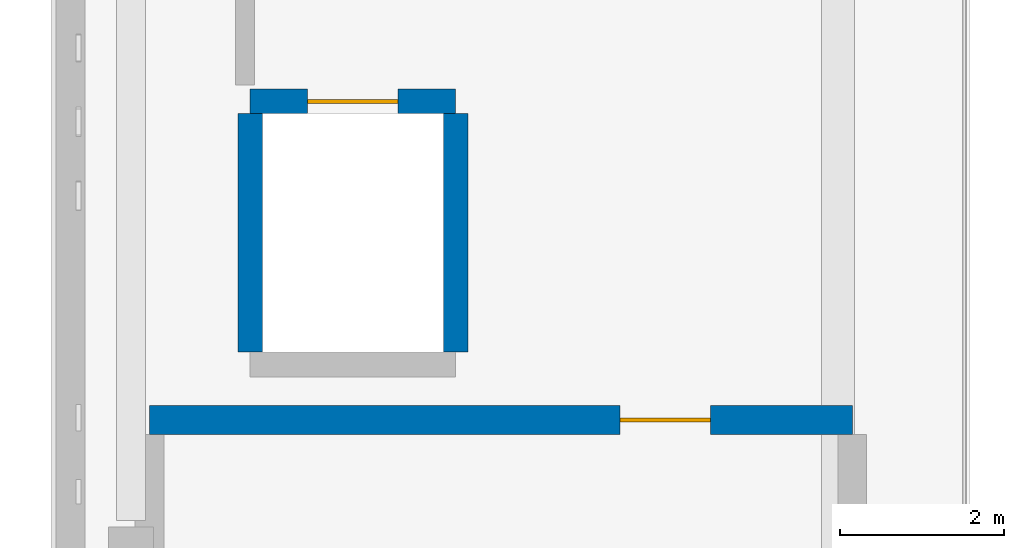
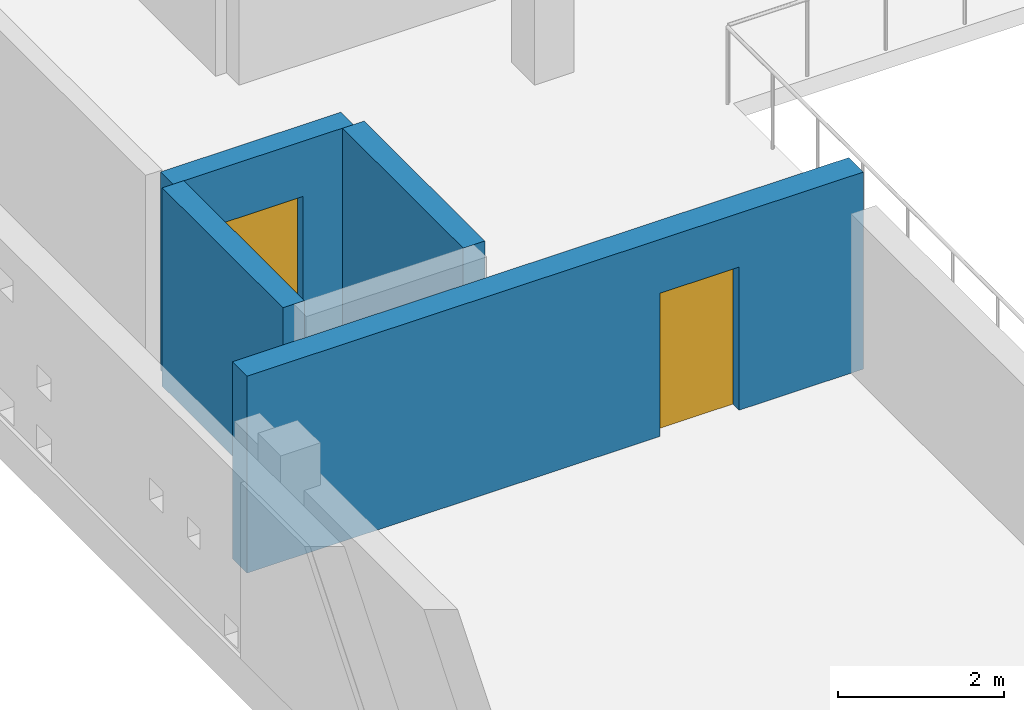
# One storey, part 7 of 17: 4 walls, 2 doors, 2 openings.
"""IFC4 building model written with IfcOpenShell, lengths in metres."""

from ifc_helpers import new_model, si_unit, direction, frame, frame_2d, origin, place, context, subcontext, project, spatial, rectangle, extrude, material, layer, layer_set, type_object, element, fill, save


model = new_model("IFC4")

# Units and contexts
model_context = context("Model", 3, precision=1e-05, world=origin(), true_north=direction((0.0, 1.0)))
body_context = subcontext(model_context, "Body", "Model", "MODEL_VIEW")
ifc_project = project(units=[si_unit("LENGTHUNIT", "METRE"), si_unit("AREAUNIT", "SQUARE_METRE"), si_unit("VOLUMEUNIT", "CUBIC_METRE"), si_unit("PLANEANGLEUNIT", "RADIAN"), si_unit("MASSUNIT", "GRAM", prefix="KILO")], contexts=[model_context])

# Site, building, storey
site_placement = place(None, origin())
site = spatial("IfcSite", under=ifc_project, at=site_placement, CompositionType="ELEMENT")
building_placement = place(site_placement, origin())
building = spatial("IfcBuilding", under=site, at=building_placement, Name="Varnakota Cinema and Media Centre", CompositionType="ELEMENT")
storey_placement = place(building_placement, frame((0.0, 0.0, 22.35009765625)))
storey = spatial("IfcBuildingStorey", under=building, at=storey_placement, Name="L06", CompositionType="ELEMENT", Elevation=22.35009765625)

# Wall
ifc_material_1 = material(Name="Concrete M40", Category="concrete")
ifc_layer_1 = layer(ifc_material_1, 0.300048828125)
ifc_layer_set_1 = layer_set([ifc_layer_1], Name="Concrete M40")
wall_type_1 = type_object("IfcWallType", Name="W-CORE-300", PredefinedType="SHEAR", material=ifc_layer_set_1)
wall_1_placement = place(storey_placement, frame((1.449951171875, 11.199951171875, 0.0), z_axis=(0.0, 0.0, 1.0), x_axis=(0.0, 1.0, 0.0)))
element("IfcWall", 1, at=wall_1_placement, inside=storey, type_object=wall_type_1, Name="L06 LSHAFT-LF-01-L06 W wall", PredefinedType="SHEAR", context=body_context, shape_type="SweptSolid", body=[
    extrude(rectangle(XDim=2.900146484375, YDim=0.300048828125, at=frame_2d((1.4501953125, 0.0))), origin(), (0.0, 0.0, 1.0), 2.909912109375),
])

# Wall, opening, door
wall_2_placement = place(storey_placement, frame((1.449951171875, 14.25, 0.0), z_axis=(0.0, 0.0, 1.0), x_axis=(1.0, 0.0, 0.0)))
wall_2 = element("IfcWall", 2, at=wall_2_placement, inside=storey, type_object=wall_type_1, Name="L06 LSHAFT-LF-01-L06 N wall", PredefinedType="SHEAR", context=body_context, shape_type="SweptSolid", body=[
    extrude(rectangle(XDim=2.5, YDim=0.300048828125, at=frame_2d((1.25, 0.0))), origin(), (0.0, 0.0, 1.0), 2.909912109375),
])
opening_1_placement = place(wall_2_placement, frame((0.699951171875, 0.0, 0.0)))
opening_1 = element("IfcOpeningElement", 3, at=opening_1_placement, cuts=wall_2, Name="Opening LD-01", PredefinedType="OPENING", context=body_context, shape_type="SweptSolid", body=[
    extrude(rectangle(XDim=1.10009765625, YDim=2.10009765625, at=frame_2d((0.550048828125, 1.050048828125))), frame((0.0, 0.14990234375, 0.0), z_axis=(0.0, -1.0, 0.0), x_axis=(1.0, 0.0, 0.0)), (0.0, 0.0, 1.0), 0.300048828125),
])
ifc_material_2 = material(Name="Thermally broken anodised aluminium AW-6063", Category="aluminium")
door_type_1 = type_object("IfcDoorType", Name="DR-LIFT-1100x2100", OperationType="SLIDING_TO_LEFT", PredefinedType="DOOR", material=ifc_material_2)
door_1_placement = place(opening_1_placement, origin())
door_1 = element("IfcDoor", 4, at=door_1_placement, inside=storey, type_object=door_type_1, Name="L06 door LD-01", OperationType="SLIDING_TO_LEFT", OverallHeight=2.10009765625, OverallWidth=1.10009765625, PredefinedType="DOOR", context=body_context, shape_type="SweptSolid", body=[
    extrude(rectangle(XDim=1.10009765625, YDim=2.10009765625, at=frame_2d((0.550048828125, 1.050048828125))), frame((0.0, 0.02490234375, 0.0), z_axis=(0.0, -1.0, 0.0), x_axis=(1.0, 0.0, 0.0)), (0.0, 0.0, 1.0), 0.050048828125),
])
fill(opening_1, door_1)

# Wall
wall_3_placement = place(storey_placement, frame((3.949951171875, 14.10009765625, 0.0), z_axis=(0.0, 0.0, 1.0), x_axis=(0.0, -1.0, 0.0)))
element("IfcWall", 5, at=wall_3_placement, inside=storey, type_object=wall_type_1, Name="L06 LSHAFT-LF-01-L06 E wall", PredefinedType="SHEAR", context=body_context, shape_type="SweptSolid", body=[
    extrude(rectangle(XDim=2.900146484375, YDim=0.300048828125, at=frame_2d((1.4501953125, 0.0))), origin(), (0.0, 0.0, 1.0), 2.909912109375),
])

# Wall, opening, door
ifc_material_3 = material(Name="Concrete M40", Category="concrete")
ifc_layer_2 = layer(ifc_material_3, 0.35009765625)
ifc_layer_set_2 = layer_set([ifc_layer_2], Name="Concrete M40")
wall_type_2 = type_object("IfcWallType", Name="W-SEP-350", PredefinedType="SOLIDWALL", material=ifc_layer_set_2)
wall_4_placement = place(storey_placement, frame((0.22509765625, 10.375, 0.0), z_axis=(0.0, 0.0, 1.0), x_axis=(1.0, 0.0, 0.0)))
wall_4 = element("IfcWall", 6, at=wall_4_placement, inside=storey, type_object=wall_type_2, Name="L06 RWALL-RM-L06-SEM6 N wall", PredefinedType="SOLIDWALL", context=body_context, shape_type="SweptSolid", body=[
    extrude(rectangle(XDim=8.5498046875, YDim=0.35009765625, at=frame_2d((4.27490234375, 0.0))), origin(), (0.0, 0.0, 1.0), 2.889892578125),
])
opening_2_placement = place(wall_4_placement, frame((5.72509765625, 0.0, 0.0)))
opening_2 = element("IfcOpeningElement", 7, at=opening_2_placement, cuts=wall_4, Name="Opening D-115", PredefinedType="OPENING", context=body_context, shape_type="SweptSolid", body=[
    extrude(rectangle(XDim=1.10009765625, YDim=2.10009765625, at=frame_2d((0.550048828125, 1.050048828125))), frame((0.0, 0.175048828125, 0.0), z_axis=(0.0, -1.0, 0.0), x_axis=(1.0, 0.0, 0.0)), (0.0, 0.0, 1.0), 0.35009765625),
])
ifc_material_4 = material(Name="Thermally broken anodised aluminium AW-6063", Category="aluminium")
door_type_2 = type_object("IfcDoorType", Name="DR-STD-1100x2100", OperationType="NOTDEFINED", PredefinedType="DOOR", material=ifc_material_4)
door_2_placement = place(opening_2_placement, origin())
door_2 = element("IfcDoor", 8, at=door_2_placement, inside=storey, type_object=door_type_2, Name="L06 door D-115", OperationType="SINGLE_SWING_LEFT", OverallHeight=2.10009765625, OverallWidth=1.10009765625, PredefinedType="DOOR", context=body_context, shape_type="SweptSolid", body=[
    extrude(rectangle(XDim=1.10009765625, YDim=2.10009765625, at=frame_2d((0.550048828125, 1.050048828125))), frame((0.0, 0.02490234375, 0.0), z_axis=(0.0, -1.0, 0.0), x_axis=(1.0, 0.0, 0.0)), (0.0, 0.0, 1.0), 0.050048828125),
])
fill(opening_2, door_2)

save(model, "model.ifc")
